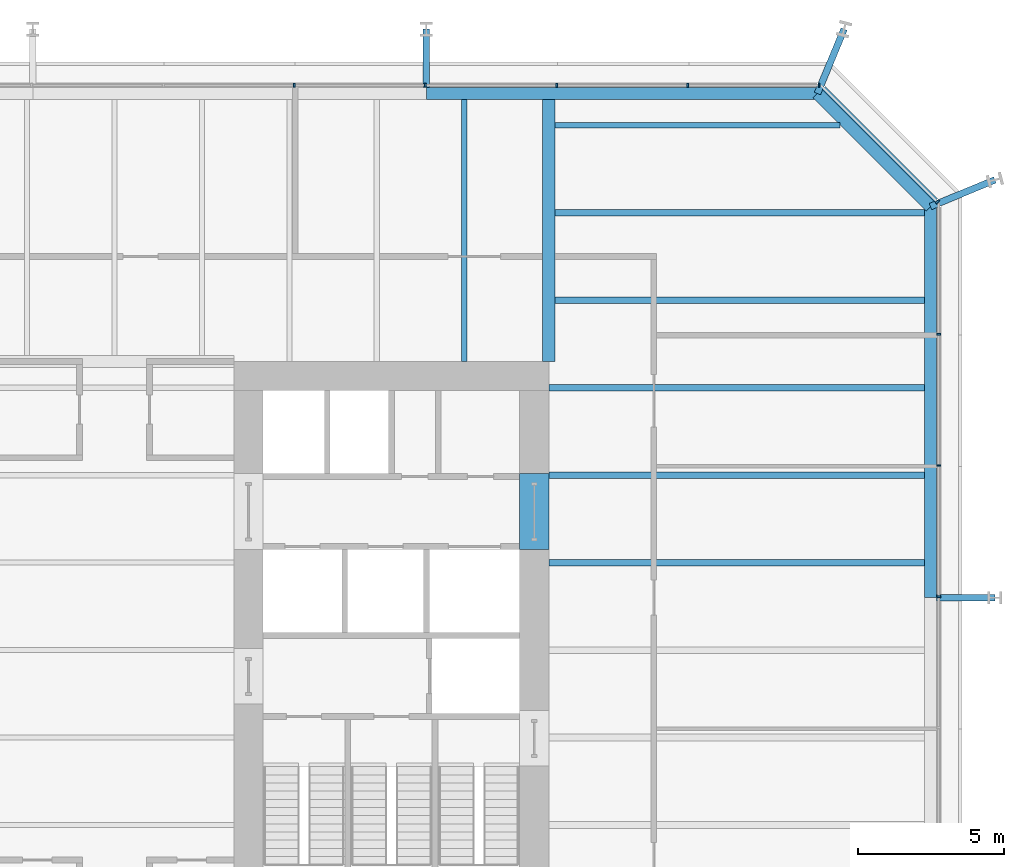
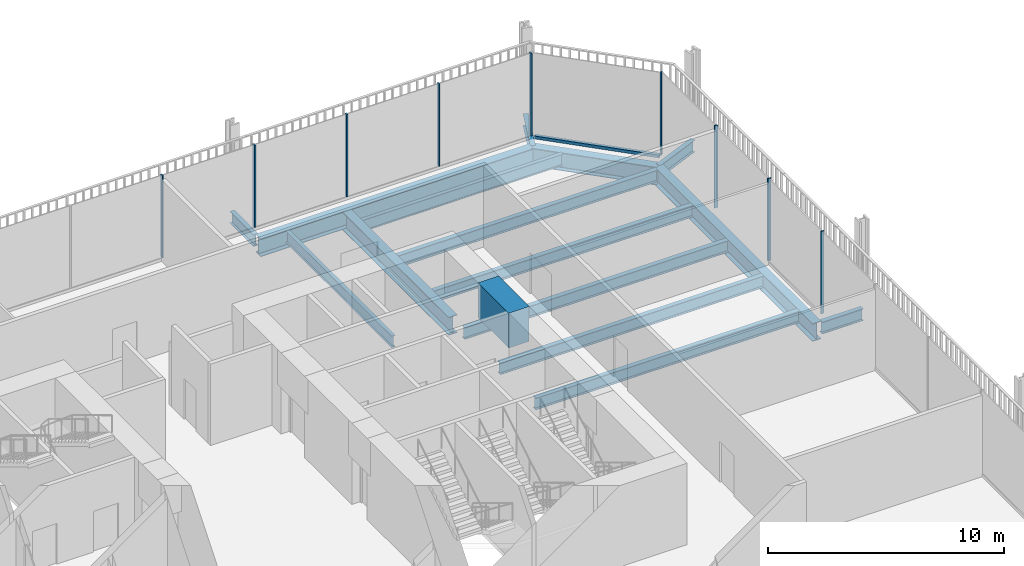
# One storey, part 14 of 20: 16 beams, 10 members, 3 elements without a shape of their own.
"""IFC4 building model written with IfcOpenShell, lengths in metres."""

from ifc_helpers import new_model, si_unit, direction, frame, origin, origin_2d, place, context, subcontext, project, spatial, rectangle, i_section, extrude, material, layer, layer_set, material_profile, profile_set, type_object, element, aggregate, save


model = new_model("IFC4")

# Units and contexts
model_context = context("Model", 3, precision=1e-05, world=origin(), true_north=direction((0.0, 1.0)))
body_context = subcontext(model_context, "Body", "Model", "MODEL_VIEW")
ifc_project = project(units=[si_unit("LENGTHUNIT", "METRE"), si_unit("AREAUNIT", "SQUARE_METRE"), si_unit("VOLUMEUNIT", "CUBIC_METRE"), si_unit("PLANEANGLEUNIT", "RADIAN"), si_unit("MASSUNIT", "GRAM", prefix="KILO")], contexts=[model_context])

# Site, building, storey
site_placement = place(None, origin())
site = spatial("IfcSite", under=ifc_project, at=site_placement, CompositionType="ELEMENT")
building_placement = place(site_placement, origin())
building = spatial("IfcBuilding", under=site, at=building_placement, Name="Millrace Tower", CompositionType="ELEMENT")
storey_placement = place(building_placement, frame((0.0, 0.0, 86.39990234375)))
storey = spatial("IfcBuildingStorey", under=building, at=storey_placement, Name="L19", CompositionType="ELEMENT", Elevation=86.39990234375)

# Curtain wall, members
ifc_material_1 = material(Name="Aluminium and glass", Category="aluminium")
ifc_layer = layer(ifc_material_1, 0.14990234375)
ifc_layer_set = layer_set([ifc_layer], Name="Aluminium and glass")
curtain_wall_type = type_object("IfcCurtainWallType", Name="CW-3 telecom floor curtain wall", PredefinedType="NOTDEFINED", material=ifc_layer_set)
placement = place(storey_placement, origin())
curtain_wall_1 = element("IfcCurtainWall", 1, at=placement, inside=storey, type_object=curtain_wall_type, Name="Curtain wall B-F04 L19", PredefinedType="NOTDEFINED")
ifc_material_2 = material(Name="Aluminium", Category="aluminium")
ifc_material_profile_1 = material_profile(ifc_material_2, rectangle(XDim=0.06494140625, YDim=0.14990234375, at=origin_2d()))
ifc_profile_set_1 = profile_set([ifc_material_profile_1], Name="Aluminium")
member_type_1 = type_object("IfcMemberType", Name="CW-3 telecom floor curtain wall mullion", PredefinedType="MULLION", material=ifc_profile_set_1)
member_1_placement = place(storey_placement, frame((28.27490234375, 1.83251953125, 0.150146484375), z_axis=(0.0, 0.0, 1.0), x_axis=(0.0, 1.0, 0.0)))
member_1 = element("IfcMember", 2, at=member_1_placement, type_object=member_type_1, Name="CW3 mullion B-F04.7", PredefinedType="MULLION", context=body_context, shape_type="SweptSolid", body=[
    extrude(rectangle(XDim=0.06494140625, YDim=0.14990234375, at=origin_2d()), origin(), (0.0, 0.0, 1.0), 4.25),
])
member_2_placement = place(storey_placement, frame((28.27490234375, 6.33251953125, 0.150146484375), z_axis=(0.0, 0.0, 1.0), x_axis=(0.0, 1.0, 0.0)))
member_2 = element("IfcMember", 3, at=member_2_placement, type_object=member_type_1, Name="CW3 mullion B-F04.8", PredefinedType="MULLION", context=body_context, shape_type="SweptSolid", body=[
    extrude(rectangle(XDim=0.06494140625, YDim=0.14990234375, at=origin_2d()), origin(), (0.0, 0.0, 1.0), 4.25),
])
member_3_placement = place(storey_placement, frame((28.27490234375, 10.83251953125, 0.150146484375), z_axis=(0.0, 0.0, 1.0), x_axis=(0.0, 1.0, 0.0)))
member_3 = element("IfcMember", 4, at=member_3_placement, type_object=member_type_1, Name="CW3 mullion B-F04.9", PredefinedType="MULLION", context=body_context, shape_type="SweptSolid", body=[
    extrude(rectangle(XDim=0.06494140625, YDim=0.14990234375, at=origin_2d()), origin(), (0.0, 0.0, 1.0), 4.25),
])
aggregate(curtain_wall_1, [member_1, member_2, member_3])

# Curtain wall, member
curtain_wall_2 = element("IfcCurtainWall", 5, at=placement, inside=storey, type_object=curtain_wall_type, Name="Curtain wall B-F05 L19", PredefinedType="NOTDEFINED")
member_4_placement = place(storey_placement, frame((28.22998046875, 15.3759765625, 0.150146484375), z_axis=(0.0, 0.0, 1.0), x_axis=(-0.707106781187, 0.707106781187, 0.0)))
member_4 = element("IfcMember", 6, at=member_4_placement, type_object=member_type_1, Name="CW3 mullion B-F05.1", PredefinedType="MULLION", context=body_context, shape_type="SweptSolid", body=[
    extrude(rectangle(XDim=0.06494140625, YDim=0.14990234375, at=origin_2d()), origin(), (0.0, 0.0, 1.0), 4.25),
])

# Curtain wall, members
curtain_wall_3 = element("IfcCurtainWall", 7, at=placement, inside=storey, type_object=curtain_wall_type, Name="Curtain wall B-F06 L19", PredefinedType="NOTDEFINED")
member_5_placement = place(storey_placement, frame((24.16748046875, 19.375, 0.150146484375), z_axis=(0.0, 0.0, 1.0), x_axis=(-1.0, 0.0, 0.0)))
member_5 = element("IfcMember", 8, at=member_5_placement, type_object=member_type_1, Name="CW3 mullion B-F06.1", PredefinedType="MULLION", context=body_context, shape_type="SweptSolid", body=[
    extrude(rectangle(XDim=0.06494140625, YDim=0.14990234375, at=origin_2d()), origin(), (0.0, 0.0, 1.0), 4.25),
])
member_6_placement = place(storey_placement, frame((19.66748046875, 19.375, 0.150146484375), z_axis=(0.0, 0.0, 1.0), x_axis=(-1.0, 0.0, 0.0)))
member_6 = element("IfcMember", 9, at=member_6_placement, type_object=member_type_1, Name="CW3 mullion B-F06.2", PredefinedType="MULLION", context=body_context, shape_type="SweptSolid", body=[
    extrude(rectangle(XDim=0.06494140625, YDim=0.14990234375, at=origin_2d()), origin(), (0.0, 0.0, 1.0), 4.25),
])
member_7_placement = place(storey_placement, frame((15.16748046875, 19.375, 0.150146484375), z_axis=(0.0, 0.0, 1.0), x_axis=(-1.0, 0.0, 0.0)))
member_7 = element("IfcMember", 10, at=member_7_placement, type_object=member_type_1, Name="CW3 mullion B-F06.3", PredefinedType="MULLION", context=body_context, shape_type="SweptSolid", body=[
    extrude(rectangle(XDim=0.06494140625, YDim=0.14990234375, at=origin_2d()), origin(), (0.0, 0.0, 1.0), 4.25),
])
member_8_placement = place(storey_placement, frame((10.66748046875, 19.375, 0.150146484375), z_axis=(0.0, 0.0, 1.0), x_axis=(-1.0, 0.0, 0.0)))
member_8 = element("IfcMember", 11, at=member_8_placement, type_object=member_type_1, Name="CW3 mullion B-F06.4", PredefinedType="MULLION", context=body_context, shape_type="SweptSolid", body=[
    extrude(rectangle(XDim=0.06494140625, YDim=0.14990234375, at=origin_2d()), origin(), (0.0, 0.0, 1.0), 4.25),
])
member_9_placement = place(storey_placement, frame((6.16748046875, 19.375, 0.150146484375), z_axis=(0.0, 0.0, 1.0), x_axis=(-1.0, 0.0, 0.0)))
member_9 = element("IfcMember", 12, at=member_9_placement, type_object=member_type_1, Name="CW3 mullion B-F06.5", PredefinedType="MULLION", context=body_context, shape_type="SweptSolid", body=[
    extrude(rectangle(XDim=0.06494140625, YDim=0.14990234375, at=origin_2d()), origin(), (0.0, 0.0, 1.0), 4.25),
])
aggregate(curtain_wall_3, [member_5, member_6, member_7, member_8, member_9])

# Member
ifc_material_3 = material(Name="Aluminium", Category="aluminium")
ifc_material_profile_2 = material_profile(ifc_material_3, rectangle(XDim=0.14990234375, YDim=0.14990234375, at=origin_2d()))
ifc_profile_set_2 = profile_set([ifc_material_profile_2], Name="Aluminium")
member_type_2 = type_object("IfcMemberType", Name="CW-3 telecom floor curtain wall transom", PredefinedType="USERDEFINED", material=ifc_profile_set_2)
member_10_placement = place(storey_placement, frame((28.182373046875, 15.423828125, 0.0751953125), z_axis=(-0.707129151258, 0.707084410407, 0.0), x_axis=(-0.707084410407, -0.707129151258, 0.0)))
member_10 = element("IfcMember", 13, at=member_10_placement, type_object=member_type_2, Name="CW3 transom B-F05.1", ObjectType="TRANSOM", PredefinedType="USERDEFINED", context=body_context, shape_type="SweptSolid", body=[
    extrude(rectangle(XDim=0.14990234375, YDim=0.14990234375, at=origin_2d()), origin(), (0.0, 0.0, 1.0), 5.456787109375),
])

aggregate(curtain_wall_2, [member_4, member_10])

# Beams
ifc_material_4 = material(Name="Concrete C80", Category="concrete")
ifc_material_profile_3 = material_profile(ifc_material_4, rectangle(XDim=1.0, YDim=1.800048828125, at=origin_2d()))
ifc_profile_set_3 = profile_set([ifc_material_profile_3], Name="Concrete C80")
beam_type_1 = type_object("IfcBeamType", Name="Coupling beam 1000 x 1800 Concrete C80, 2000 opening", PredefinedType="BEAM", material=ifc_profile_set_3)
beam_1_placement = place(storey_placement, frame((14.39990234375, 6.050048828125, 3.300048828125), z_axis=(0.0, -1.0, 0.0), x_axis=(1.0, 0.0, 0.0)))
element("IfcBeam", 14, at=beam_1_placement, inside=storey, type_object=beam_type_1, Name="Coupling beam E L19", PredefinedType="BEAM", context=body_context, shape_type="SweptSolid", body=[
    extrude(rectangle(XDim=1.0, YDim=1.800048828125, at=origin_2d()), origin(), (0.0, 0.0, 1.0), 2.60009765625),
])
ifc_material_5 = material(Name="Steel ASTM A992 Grade 50", Category="steel")
ifc_material_profile_4 = material_profile(ifc_material_5, i_section(OverallWidth=0.177978515625, OverallDepth=0.599365234375, WebThickness=0.010009765625, FlangeThickness=0.012939453125, FilletRadius=0.012939453125, at=origin_2d()))
ifc_profile_set_4 = profile_set([ifc_material_profile_4], Name="Steel ASTM A992 Grade 50")
beam_type_2 = type_object("IfcBeamType", Name="Floor beam W24x55", PredefinedType="JOIST", material=ifc_profile_set_4)
beam_2_placement = place(storey_placement, frame((12.0, 9.89990234375, -0.49951171875), z_axis=(0.0, 1.0, 0.0), x_axis=(-1.0, 0.0, 0.0)))
element("IfcBeam", 15, at=beam_2_placement, inside=storey, type_object=beam_type_2, Name="BM-B-L19-S1-S056", PredefinedType="JOIST", context=body_context, shape_type="SweptSolid", body=[
    extrude(i_section(OverallWidth=0.177978515625, OverallDepth=0.599365234375, WebThickness=0.010009765625, FlangeThickness=0.012939453125, FilletRadius=0.012939453125, at=origin_2d()), origin(), (0.0, 0.0, 1.0), 8.98095703125),
])
beam_3_placement = place(storey_placement, frame((15.11083984375, 18.0, -0.49951171875), z_axis=(1.0, 0.0, 0.0), x_axis=(0.0, 1.0, 0.0)))
element("IfcBeam", 16, at=beam_3_placement, inside=storey, type_object=beam_type_2, Name="BM-B-L19-S1-S039", PredefinedType="JOIST", context=body_context, shape_type="SweptSolid", body=[
    extrude(i_section(OverallWidth=0.177978515625, OverallDepth=0.599365234375, WebThickness=0.010009765625, FlangeThickness=0.012939453125, FilletRadius=0.012939453125, at=origin_2d()), origin(), (0.0, 0.0, 1.0), 9.7724609375),
])
ifc_material_6 = material(Name="Steel ASTM A992 Grade 50", Category="steel")
ifc_material_profile_5 = material_profile(ifc_material_6, i_section(OverallWidth=0.228271484375, OverallDepth=0.607177734375, WebThickness=0.01123046875, FlangeThickness=0.017333984375, FilletRadius=0.0126953125, at=origin_2d()))
ifc_profile_set_5 = profile_set([ifc_material_profile_5], Name="Steel ASTM A992 Grade 50")
beam_type_3 = type_object("IfcBeamType", Name="Floor beam W24x76", PredefinedType="JOIST", material=ifc_profile_set_5)
for number, where, z_axis, x_axis, name in (
    (17, (14.89990234375, 3.0, -0.50341796875), (1.0, 0.0, 0.0), (0.0, 1.0, 0.0), "BM-B-L19-S1-S027"),
    (18, (14.89990234375, 6.0, -0.50341796875), (1.0, 0.0, 0.0), (0.0, 1.0, 0.0), "BM-B-L19-S1-S030"),
    (19, (14.89990234375, 9.0, -0.50341796875), (1.0, 0.0, 0.0), (0.0, 1.0, 0.0), "BM-B-L19-S1-S033"),
):
    element("IfcBeam", number, at=place(storey_placement, frame(where, z_axis=z_axis, x_axis=x_axis)), inside=storey, type_object=beam_type_3, Name=name, PredefinedType="JOIST", context=body_context, shape_type="SweptSolid", body=[
        extrude(i_section(OverallWidth=0.228271484375, OverallDepth=0.607177734375, WebThickness=0.01123046875, FlangeThickness=0.017333984375, FilletRadius=0.0126953125, at=origin_2d()), origin(), (0.0, 0.0, 1.0), 12.881103515625),
    ])
for number, where, z_axis, x_axis, name in (
    (20, (15.11083984375, 12.0, -0.50341796875), (1.0, 0.0, 0.0), (0.0, 1.0, 0.0), "BM-B-L19-S1-S035"),
    (21, (15.11083984375, 15.0, -0.50341796875), (1.0, 0.0, 0.0), (0.0, 1.0, 0.0), "BM-B-L19-S1-S037"),
):
    element("IfcBeam", number, at=place(storey_placement, frame(where, z_axis=z_axis, x_axis=x_axis)), inside=storey, type_object=beam_type_3, Name=name, PredefinedType="JOIST", context=body_context, shape_type="SweptSolid", body=[
        extrude(i_section(OverallWidth=0.228271484375, OverallDepth=0.607177734375, WebThickness=0.01123046875, FlangeThickness=0.017333984375, FilletRadius=0.0126953125, at=origin_2d()), origin(), (0.0, 0.0, 1.0), 12.670166015625),
    ])
ifc_material_7 = material(Name="Steel ASTM A992 Grade 50", Category="steel")
ifc_material_profile_6 = material_profile(ifc_material_7, i_section(OverallWidth=0.421630859375, OverallDepth=0.937255859375, WebThickness=0.021240234375, FlangeThickness=0.03662109375, FilletRadius=0.024169921875, at=origin_2d()))
ifc_profile_set_6 = profile_set([ifc_material_profile_6], Name="Steel ASTM A992 Grade 50")
beam_type_4 = type_object("IfcBeamType", Name="Girder short span W36x262", PredefinedType="BEAM", material=ifc_profile_set_6)
beam_4_placement = place(storey_placement, frame((14.89990234375, 9.89990234375, -0.66845703125), z_axis=(0.0, 1.0, 0.0), x_axis=(-1.0, 0.0, 0.0)))
element("IfcBeam", 22, at=beam_4_placement, inside=storey, type_object=beam_type_4, Name="BM-B-L19-S1-G060", PredefinedType="BEAM", context=body_context, shape_type="SweptSolid", body=[
    extrude(i_section(OverallWidth=0.421630859375, OverallDepth=0.937255859375, WebThickness=0.021240234375, FlangeThickness=0.03662109375, FilletRadius=0.024169921875, at=origin_2d()), origin(), (0.0, 0.0, 1.0), 8.98095703125),
])
ifc_material_8 = material(Name="Steel ASTM A992 Grade 50", Category="steel")
ifc_material_profile_7 = material_profile(ifc_material_8, i_section(OverallWidth=0.23046875, OverallDepth=0.6171875, WebThickness=0.01318359375, FlangeThickness=0.022216796875, FilletRadius=0.012939453125, at=origin_2d()))
ifc_profile_set_7 = profile_set([ifc_material_profile_7], Name="Steel ASTM A992 Grade 50")
beam_type_5 = type_object("IfcBeamType", Name="Link beam W24x94", PredefinedType="BEAM", material=ifc_profile_set_7)
beam_5_placement = place(storey_placement, frame((10.699951171875, 19.300048828125, -0.508544921875), z_axis=(0.0, 1.0, 0.0), x_axis=(-1.0, 0.0, 0.0)))
element("IfcBeam", 23, at=beam_5_placement, inside=storey, type_object=beam_type_5, Name="LNK-B-L19-S1-07", PredefinedType="BEAM", context=body_context, shape_type="SweptSolid", body=[
    extrude(i_section(OverallWidth=0.23046875, OverallDepth=0.6171875, WebThickness=0.01318359375, FlangeThickness=0.022216796875, FilletRadius=0.012939453125, at=origin_2d()), origin(), (0.0, 0.0, 1.0), 2.0),
])
for number, where, z_axis, x_axis, name in (
    (24, (24.11328125, 19.09033203125, -0.508544921875), (0.382592209583, 0.923917312949, 0.0), (-0.923917312949, 0.382592209583, 0.0), "LNK-B-L19-S1-08"),
    (25, (27.990478515625, 15.213134765625, -0.508544921875), (0.92386627665, 0.382715433277, 0.0), (-0.382715433277, 0.92386627665, 0.0), "LNK-B-L19-S1-09"),
):
    element("IfcBeam", number, at=place(storey_placement, frame(where, z_axis=z_axis, x_axis=x_axis)), inside=storey, type_object=beam_type_5, Name=name, PredefinedType="BEAM", context=body_context, shape_type="SweptSolid", body=[
        extrude(i_section(OverallWidth=0.23046875, OverallDepth=0.6171875, WebThickness=0.01318359375, FlangeThickness=0.022216796875, FilletRadius=0.012939453125, at=origin_2d()), origin(), (0.0, 0.0, 1.0), 2.3916015625),
    ])
beam_6_placement = place(storey_placement, frame((28.199951171875, 1.800048828125, -0.508544921875), z_axis=(1.0, 0.0, 0.0), x_axis=(0.0, 1.0, 0.0)))
element("IfcBeam", 26, at=beam_6_placement, inside=storey, type_object=beam_type_5, Name="LNK-B-L19-S1-10", PredefinedType="BEAM", context=body_context, shape_type="SweptSolid", body=[
    extrude(i_section(OverallWidth=0.23046875, OverallDepth=0.6171875, WebThickness=0.01318359375, FlangeThickness=0.022216796875, FilletRadius=0.012939453125, at=origin_2d()), origin(), (0.0, 0.0, 1.0), 2.0),
])
ifc_material_9 = material(Name="Steel ASTM A992 Grade 50", Category="steel")
ifc_material_profile_8 = material_profile(ifc_material_9, i_section(OverallWidth=0.419189453125, OverallDepth=0.927001953125, WebThickness=0.019287109375, FlangeThickness=0.031982421875, FilletRadius=0.024169921875, at=origin_2d()))
ifc_profile_set_8 = profile_set([ifc_material_profile_8], Name="Steel ASTM A992 Grade 50")
beam_type_6 = type_object("IfcBeamType", Name="Ring beam medium span W36x231", PredefinedType="SPANDREL", material=ifc_profile_set_8)
beam_7_placement = place(storey_placement, frame((10.699951171875, 19.09033203125, -0.66357421875), z_axis=(1.0, 0.0, 0.0), x_axis=(0.0, 1.0, 0.0)))
element("IfcBeam", 27, at=beam_7_placement, inside=storey, type_object=beam_type_6, Name="RNG-B-L19-S1-07", PredefinedType="SPANDREL", context=body_context, shape_type="SweptSolid", body=[
    extrude(i_section(OverallWidth=0.419189453125, OverallDepth=0.927001953125, WebThickness=0.019287109375, FlangeThickness=0.031982421875, FilletRadius=0.024169921875, at=origin_2d()), origin(), (0.0, 0.0, 1.0), 13.413330078125),
])
beam_8_placement = place(storey_placement, frame((27.990478515625, 15.213134765625, -0.66357421875), z_axis=(0.0, -1.0, 0.0), x_axis=(1.0, 0.0, 0.0)))
element("IfcBeam", 28, at=beam_8_placement, inside=storey, type_object=beam_type_6, Name="RNG-B-L19-S1-09", PredefinedType="SPANDREL", context=body_context, shape_type="SweptSolid", body=[
    extrude(i_section(OverallWidth=0.419189453125, OverallDepth=0.927001953125, WebThickness=0.019287109375, FlangeThickness=0.031982421875, FilletRadius=0.024169921875, at=origin_2d()), origin(), (0.0, 0.0, 1.0), 13.4130859375),
])
ifc_material_10 = material(Name="Steel ASTM A992 Grade 50", Category="steel")
ifc_material_profile_9 = material_profile(ifc_material_10, i_section(OverallWidth=0.419189453125, OverallDepth=0.927001953125, WebThickness=0.019287109375, FlangeThickness=0.031982421875, FilletRadius=0.024169921875, at=origin_2d()))
ifc_profile_set_9 = profile_set([ifc_material_profile_9], Name="Steel ASTM A992 Grade 50")
beam_type_7 = type_object("IfcBeamType", Name="Ring beam short span W36x231", PredefinedType="SPANDREL", material=ifc_profile_set_9)
beam_9_placement = place(storey_placement, frame((24.11328125, 19.09033203125, -0.66357421875), z_axis=(0.707106781187, -0.707106781187, 0.0), x_axis=(0.707106781187, 0.707106781187, 0.0)))
element("IfcBeam", 29, at=beam_9_placement, inside=storey, type_object=beam_type_7, Name="RNG-B-L19-S1-08", PredefinedType="SPANDREL", context=body_context, shape_type="SweptSolid", body=[
    extrude(i_section(OverallWidth=0.419189453125, OverallDepth=0.927001953125, WebThickness=0.019287109375, FlangeThickness=0.031982421875, FilletRadius=0.024169921875, at=origin_2d()), origin(), (0.0, 0.0, 1.0), 5.483154296875),
])

save(model, "model.ifc")
